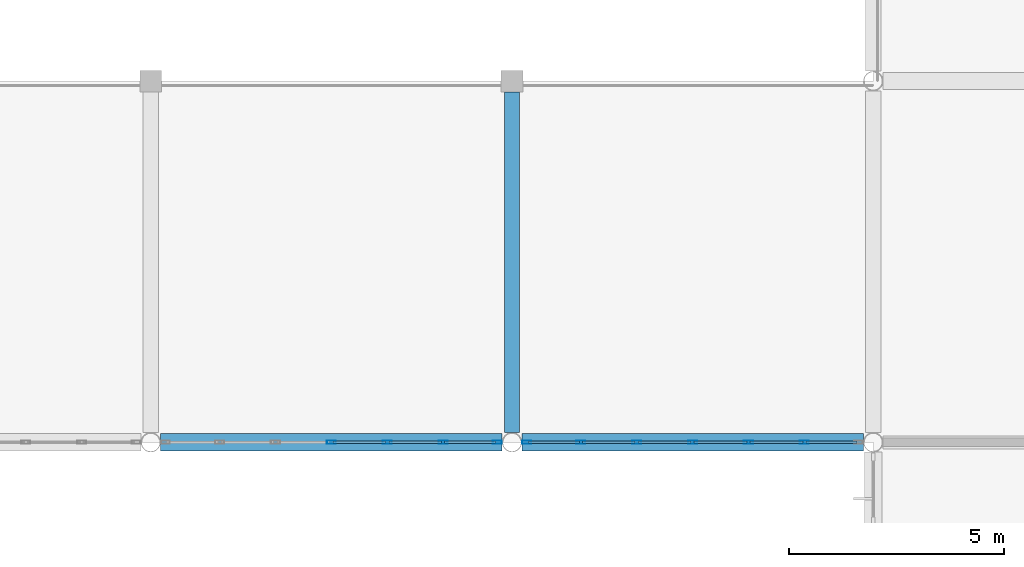
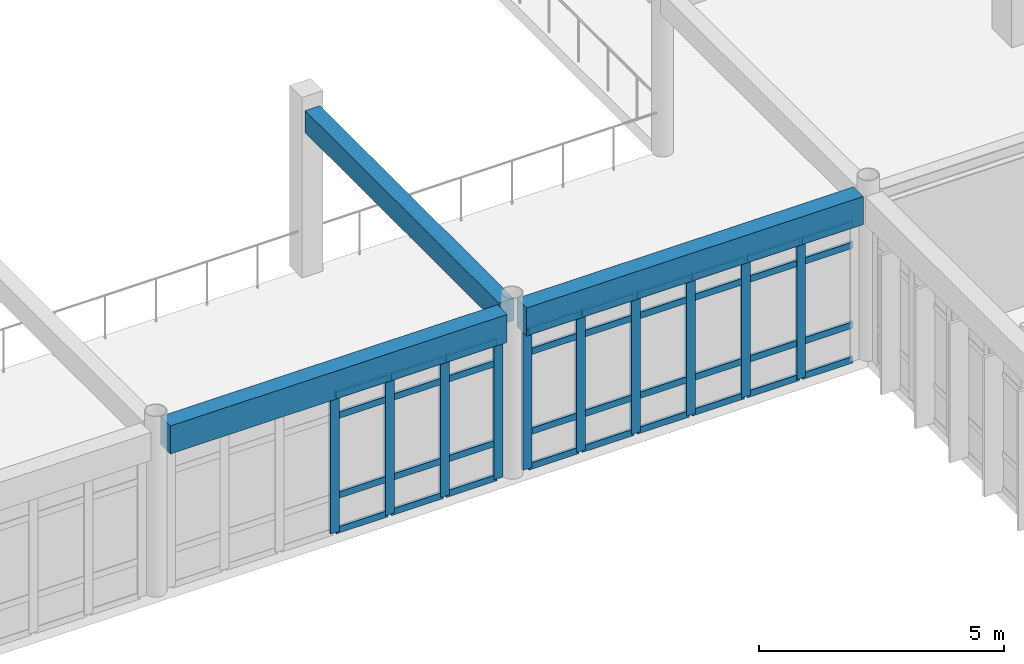
# One storey, part 23 of 144: 46 members, 3 beams, 2 elements without a shape of their own.
"""IFC4 building model written with IfcOpenShell, lengths in metres."""

from ifc_helpers import new_model, si_unit, direction, frame, origin, origin_2d, place, context, subcontext, project, spatial, rectangle, hollow_rectangle, extrude, material, layer, layer_set, material_profile, profile_set, type_object, element, aggregate, save


model = new_model("IFC4")

# Units and contexts
model_context = context("Model", 3, precision=1e-05, world=origin(), true_north=direction((0.0, 1.0)))
body_context = subcontext(model_context, "Body", "Model", "MODEL_VIEW")
ifc_project = project(units=[si_unit("LENGTHUNIT", "METRE"), si_unit("AREAUNIT", "SQUARE_METRE"), si_unit("VOLUMEUNIT", "CUBIC_METRE"), si_unit("PLANEANGLEUNIT", "RADIAN"), si_unit("MASSUNIT", "GRAM", prefix="KILO")], contexts=[model_context])

# Site, building, storey
site_placement = place(None, origin())
site = spatial("IfcSite", under=ifc_project, at=site_placement, CompositionType="ELEMENT")
building_placement = place(site_placement, origin())
building = spatial("IfcBuilding", under=site, at=building_placement, Name="Bramfleet General Hospital", CompositionType="ELEMENT")
storey_placement = place(building_placement, frame((0.0, 0.0, 4.800048828125)))
storey = spatial("IfcBuildingStorey", under=building, at=storey_placement, Name="L01", CompositionType="ELEMENT", Elevation=4.800048828125)

# Beams
ifc_material_1 = material(Name="Concrete C35/45", Category="concrete")
ifc_material_profile_1 = material_profile(ifc_material_1, rectangle(XDim=0.35009765625, YDim=0.550048828125, at=origin_2d()), Name="RC BM 550x350")
ifc_profile_set_1 = profile_set([ifc_material_profile_1], Name="Concrete C35/45")
beam_type_1 = type_object("IfcBeamType", Name="BM-RC550", PredefinedType="BEAM", material=ifc_profile_set_1)
beam_placement = place(storey_placement, frame((84.0, 17.028564453125, 3.875), z_axis=(0.0, 1.0, 0.0), x_axis=(-1.0, 0.0, 0.0)))
element("IfcBeam", 1, at=beam_placement, inside=storey, type_object=beam_type_1, Name="L01 Grid Beam Y 10-02", PredefinedType="BEAM", context=body_context, shape_type="SweptSolid", body=[
    extrude(rectangle(XDim=0.35009765625, YDim=0.550048828125, at=origin_2d()), origin(), (0.0, 0.0, 1.0), 7.92138671875),
])
ifc_material_profile_2 = material_profile(ifc_material_1, rectangle(XDim=0.39990234375, YDim=0.699951171875, at=origin_2d()), Name="RC SP 700x400")
ifc_profile_set_2 = profile_set([ifc_material_profile_2], Name="Concrete C35/45")
beam_type_2 = type_object("IfcBeamType", Name="BM-SP700", PredefinedType="SPANDREL", material=ifc_profile_set_2)
for number, where, z_axis, x_axis, name in (
    (2, (75.82861328125, 16.800048828125, 3.800048828125), (1.0, 0.0, 0.0), (0.0, 1.0, 0.0), "L01 Grid Beam X 09-02"),
    (3, (84.228515625, 16.800048828125, 3.800048828125), (1.0, 0.0, 0.0), (0.0, 1.0, 0.0), "L01 Grid Beam X 10-02"),
):
    element("IfcBeam", number, at=place(storey_placement, frame(where, z_axis=z_axis, x_axis=x_axis)), inside=storey, type_object=beam_type_2, Name=name, PredefinedType="SPANDREL", context=body_context, shape_type="SweptSolid", body=[
        extrude(rectangle(XDim=0.39990234375, YDim=0.699951171875, at=origin_2d()), origin(), (0.0, 0.0, 1.0), 7.94287109375),
    ])

# Curtain wall, members
ifc_material_2 = material(Name="Anodised aluminium and low-E triple glazing", Category="aluminium")
ifc_layer_1 = layer(ifc_material_2, 0.179931640625, Name="CWT-CW-07")
ifc_layer_set_1 = layer_set([ifc_layer_1], Name="Anodised aluminium and low-E triple glazing")
curtain_wall_type_1 = type_object("IfcCurtainWallType", Name="CWT-CW-07", PredefinedType="USERDEFINED", material=ifc_layer_set_1)
curtain_wall_1_placement = place(storey_placement, origin())
curtain_wall_1 = element("IfcCurtainWall", 4, at=curtain_wall_1_placement, inside=storey, type_object=curtain_wall_type_1, Name="L01 Curtain Wall 79", ObjectType="Unitised curtain wall", PredefinedType="USERDEFINED")
ifc_material_3 = material(Name="Anodised aluminium EN AW-6060", Category="aluminium")
ifc_material_profile_3 = material_profile(ifc_material_3, hollow_rectangle(XDim=0.074951171875, YDim=0.2099609375, WallThickness=0.00439453125, at=origin_2d()), Name="ALU 210x75x4.5")
ifc_profile_set_3 = profile_set([ifc_material_profile_3], Name="Anodised aluminium EN AW-6060")
member_type_1 = type_object("IfcMemberType", Name="CWM-ALU210", PredefinedType="MULLION", material=ifc_profile_set_3)
member_1_placement = place(storey_placement, frame((90.798095703125, 16.800048828125, 0.0), z_axis=(0.0, 0.0, 1.0), x_axis=(0.0, -1.0, 0.0)))
member_1 = element("IfcMember", 5, at=member_1_placement, type_object=member_type_1, Name="CW-07 mullion 2", PredefinedType="MULLION", context=body_context, shape_type="SweptSolid", body=[
    extrude(hollow_rectangle(XDim=0.074951171875, YDim=0.2099609375, WallThickness=0.00439453125, at=origin_2d()), origin(), (0.0, 0.0, 1.0), 3.43994140625),
])
member_2_placement = place(storey_placement, frame((89.4990234375, 16.800048828125, 0.0), z_axis=(0.0, 0.0, 1.0), x_axis=(0.0, -1.0, 0.0)))
member_2 = element("IfcMember", 6, at=member_2_placement, type_object=member_type_1, Name="CW-07 mullion 3", PredefinedType="MULLION", context=body_context, shape_type="SweptSolid", body=[
    extrude(hollow_rectangle(XDim=0.074951171875, YDim=0.2099609375, WallThickness=0.00439453125, at=origin_2d()), origin(), (0.0, 0.0, 1.0), 3.43994140625),
])
member_3_placement = place(storey_placement, frame((88.199951171875, 16.800048828125, 0.0), z_axis=(0.0, 0.0, 1.0), x_axis=(0.0, -1.0, 0.0)))
member_3 = element("IfcMember", 7, at=member_3_placement, type_object=member_type_1, Name="CW-07 mullion 4", PredefinedType="MULLION", context=body_context, shape_type="SweptSolid", body=[
    extrude(hollow_rectangle(XDim=0.074951171875, YDim=0.2099609375, WallThickness=0.00439453125, at=origin_2d()), origin(), (0.0, 0.0, 1.0), 3.43994140625),
])
member_4_placement = place(storey_placement, frame((86.90087890625, 16.800048828125, 0.0), z_axis=(0.0, 0.0, 1.0), x_axis=(0.0, -1.0, 0.0)))
member_4 = element("IfcMember", 8, at=member_4_placement, type_object=member_type_1, Name="CW-07 mullion 5", PredefinedType="MULLION", context=body_context, shape_type="SweptSolid", body=[
    extrude(hollow_rectangle(XDim=0.074951171875, YDim=0.2099609375, WallThickness=0.00439453125, at=origin_2d()), origin(), (0.0, 0.0, 1.0), 3.43994140625),
])
member_5_placement = place(storey_placement, frame((85.60205078125, 16.800048828125, 0.0), z_axis=(0.0, 0.0, 1.0), x_axis=(0.0, -1.0, 0.0)))
member_5 = element("IfcMember", 9, at=member_5_placement, type_object=member_type_1, Name="CW-07 mullion 6", PredefinedType="MULLION", context=body_context, shape_type="SweptSolid", body=[
    extrude(hollow_rectangle(XDim=0.074951171875, YDim=0.2099609375, WallThickness=0.00439453125, at=origin_2d()), origin(), (0.0, 0.0, 1.0), 3.43994140625),
])
member_6_placement = place(storey_placement, frame((84.340576171875, 16.800048828125, 0.0), z_axis=(0.0, 0.0, 1.0), x_axis=(0.0, -1.0, 0.0)))
member_6 = element("IfcMember", 10, at=member_6_placement, type_object=member_type_1, Name="CW-07 mullion 7", PredefinedType="MULLION", context=body_context, shape_type="SweptSolid", body=[
    extrude(hollow_rectangle(XDim=0.074951171875, YDim=0.2099609375, WallThickness=0.00439453125, at=origin_2d()), origin(), (0.0, 0.0, 1.0), 3.43994140625),
])

ifc_layer_2 = layer(ifc_material_2, 0.179931640625, Name="CWT-CW-08")
ifc_layer_set_2 = layer_set([ifc_layer_2], Name="Anodised aluminium and low-E triple glazing")
curtain_wall_type_2 = type_object("IfcCurtainWallType", Name="CWT-CW-08", PredefinedType="USERDEFINED", material=ifc_layer_set_2)
curtain_wall_2_placement = place(storey_placement, origin())
curtain_wall_2 = element("IfcCurtainWall", 11, at=curtain_wall_2_placement, inside=storey, type_object=curtain_wall_type_2, Name="L01 Curtain Wall 80", ObjectType="Unitised curtain wall", PredefinedType="USERDEFINED")
member_7_placement = place(storey_placement, frame((83.659423828125, 16.800048828125, 0.0), z_axis=(0.0, 0.0, 1.0), x_axis=(0.0, -1.0, 0.0)))
member_7 = element("IfcMember", 12, at=member_7_placement, type_object=member_type_1, Name="CW-08 mullion 1", PredefinedType="MULLION", context=body_context, shape_type="SweptSolid", body=[
    extrude(hollow_rectangle(XDim=0.074951171875, YDim=0.2099609375, WallThickness=0.00439453125, at=origin_2d()), origin(), (0.0, 0.0, 1.0), 3.43994140625),
])
member_8_placement = place(storey_placement, frame((82.39794921875, 16.800048828125, 0.0), z_axis=(0.0, 0.0, 1.0), x_axis=(0.0, -1.0, 0.0)))
member_8 = element("IfcMember", 13, at=member_8_placement, type_object=member_type_1, Name="CW-08 mullion 2", PredefinedType="MULLION", context=body_context, shape_type="SweptSolid", body=[
    extrude(hollow_rectangle(XDim=0.074951171875, YDim=0.2099609375, WallThickness=0.00439453125, at=origin_2d()), origin(), (0.0, 0.0, 1.0), 3.43994140625),
])
member_9_placement = place(storey_placement, frame((81.09912109375, 16.800048828125, 0.0), z_axis=(0.0, 0.0, 1.0), x_axis=(0.0, -1.0, 0.0)))
member_9 = element("IfcMember", 14, at=member_9_placement, type_object=member_type_1, Name="CW-08 mullion 3", PredefinedType="MULLION", context=body_context, shape_type="SweptSolid", body=[
    extrude(hollow_rectangle(XDim=0.074951171875, YDim=0.2099609375, WallThickness=0.00439453125, at=origin_2d()), origin(), (0.0, 0.0, 1.0), 3.43994140625),
])
member_10_placement = place(storey_placement, frame((79.800048828125, 16.800048828125, 0.0), z_axis=(0.0, 0.0, 1.0), x_axis=(0.0, -1.0, 0.0)))
member_10 = element("IfcMember", 15, at=member_10_placement, type_object=member_type_1, Name="CW-08 mullion 4", PredefinedType="MULLION", context=body_context, shape_type="SweptSolid", body=[
    extrude(hollow_rectangle(XDim=0.074951171875, YDim=0.2099609375, WallThickness=0.00439453125, at=origin_2d()), origin(), (0.0, 0.0, 1.0), 3.43994140625),
])

# Member
ifc_material_profile_4 = material_profile(ifc_material_3, hollow_rectangle(XDim=0.06494140625, YDim=0.159912109375, WallThickness=0.00390625, at=origin_2d()), Name="ALU 160x65x4.0")
ifc_profile_set_4 = profile_set([ifc_material_profile_4], Name="Anodised aluminium EN AW-6060")
member_type_2 = type_object("IfcMemberType", Name="CWT-ALU160", PredefinedType="USERDEFINED", material=ifc_profile_set_4)
member_11_placement = place(storey_placement, frame((92.02197265625, 16.800048828125, 0.032470703125), z_axis=(-1.0, 0.0, 0.0), x_axis=(0.0, -1.0, 0.0)))
member_11 = element("IfcMember", 16, at=member_11_placement, type_object=member_type_2, Name="CW-07 transom 1.1", ObjectType="TRANSOM", PredefinedType="USERDEFINED", context=body_context, shape_type="SweptSolid", body=[
    extrude(hollow_rectangle(XDim=0.06494140625, YDim=0.159912109375, WallThickness=0.00390625, at=origin_2d()), origin(), (0.0, 0.0, 1.0), 1.1865234375),
])

member_12_placement = place(storey_placement, frame((92.02197265625, 16.800048828125, 0.89990234375), z_axis=(-1.0, 0.0, 0.0), x_axis=(0.0, -1.0, 0.0)))
member_12 = element("IfcMember", 17, at=member_12_placement, type_object=member_type_2, Name="CW-07 transom 1.2", ObjectType="TRANSOM", PredefinedType="USERDEFINED", context=body_context, shape_type="SweptSolid", body=[
    extrude(hollow_rectangle(XDim=0.06494140625, YDim=0.159912109375, WallThickness=0.00390625, at=origin_2d()), origin(), (0.0, 0.0, 1.0), 1.1865234375),
])

member_13_placement = place(storey_placement, frame((92.02197265625, 16.800048828125, 2.889892578125), z_axis=(-1.0, 0.0, 0.0), x_axis=(0.0, -1.0, 0.0)))
member_13 = element("IfcMember", 18, at=member_13_placement, type_object=member_type_2, Name="CW-07 transom 1.3", ObjectType="TRANSOM", PredefinedType="USERDEFINED", context=body_context, shape_type="SweptSolid", body=[
    extrude(hollow_rectangle(XDim=0.06494140625, YDim=0.159912109375, WallThickness=0.00390625, at=origin_2d()), origin(), (0.0, 0.0, 1.0), 1.1865234375),
])

member_14_placement = place(storey_placement, frame((92.02197265625, 16.800048828125, 3.407470703125), z_axis=(-1.0, 0.0, 0.0), x_axis=(0.0, -1.0, 0.0)))
member_14 = element("IfcMember", 19, at=member_14_placement, type_object=member_type_2, Name="CW-07 transom 1.4", ObjectType="TRANSOM", PredefinedType="USERDEFINED", context=body_context, shape_type="SweptSolid", body=[
    extrude(hollow_rectangle(XDim=0.06494140625, YDim=0.159912109375, WallThickness=0.00390625, at=origin_2d()), origin(), (0.0, 0.0, 1.0), 1.1865234375),
])

member_15_placement = place(storey_placement, frame((90.760498046875, 16.800048828125, 0.032470703125), z_axis=(-1.0, 0.0, 0.0), x_axis=(0.0, -1.0, 0.0)))
member_15 = element("IfcMember", 20, at=member_15_placement, type_object=member_type_2, Name="CW-07 transom 2.1", ObjectType="TRANSOM", PredefinedType="USERDEFINED", context=body_context, shape_type="SweptSolid", body=[
    extrude(hollow_rectangle(XDim=0.06494140625, YDim=0.159912109375, WallThickness=0.00390625, at=origin_2d()), origin(), (0.0, 0.0, 1.0), 1.223876953125),
])

member_16_placement = place(storey_placement, frame((90.760498046875, 16.800048828125, 0.89990234375), z_axis=(-1.0, 0.0, 0.0), x_axis=(0.0, -1.0, 0.0)))
member_16 = element("IfcMember", 21, at=member_16_placement, type_object=member_type_2, Name="CW-07 transom 2.2", ObjectType="TRANSOM", PredefinedType="USERDEFINED", context=body_context, shape_type="SweptSolid", body=[
    extrude(hollow_rectangle(XDim=0.06494140625, YDim=0.159912109375, WallThickness=0.00390625, at=origin_2d()), origin(), (0.0, 0.0, 1.0), 1.223876953125),
])

member_17_placement = place(storey_placement, frame((90.760498046875, 16.800048828125, 2.889892578125), z_axis=(-1.0, 0.0, 0.0), x_axis=(0.0, -1.0, 0.0)))
member_17 = element("IfcMember", 22, at=member_17_placement, type_object=member_type_2, Name="CW-07 transom 2.3", ObjectType="TRANSOM", PredefinedType="USERDEFINED", context=body_context, shape_type="SweptSolid", body=[
    extrude(hollow_rectangle(XDim=0.06494140625, YDim=0.159912109375, WallThickness=0.00390625, at=origin_2d()), origin(), (0.0, 0.0, 1.0), 1.223876953125),
])

member_18_placement = place(storey_placement, frame((90.760498046875, 16.800048828125, 3.407470703125), z_axis=(-1.0, 0.0, 0.0), x_axis=(0.0, -1.0, 0.0)))
member_18 = element("IfcMember", 23, at=member_18_placement, type_object=member_type_2, Name="CW-07 transom 2.4", ObjectType="TRANSOM", PredefinedType="USERDEFINED", context=body_context, shape_type="SweptSolid", body=[
    extrude(hollow_rectangle(XDim=0.06494140625, YDim=0.159912109375, WallThickness=0.00390625, at=origin_2d()), origin(), (0.0, 0.0, 1.0), 1.223876953125),
])

member_19_placement = place(storey_placement, frame((89.46142578125, 16.800048828125, 0.032470703125), z_axis=(-1.0, 0.0, 0.0), x_axis=(0.0, -1.0, 0.0)))
member_19 = element("IfcMember", 24, at=member_19_placement, type_object=member_type_2, Name="CW-07 transom 3.1", ObjectType="TRANSOM", PredefinedType="USERDEFINED", context=body_context, shape_type="SweptSolid", body=[
    extrude(hollow_rectangle(XDim=0.06494140625, YDim=0.159912109375, WallThickness=0.00390625, at=origin_2d()), origin(), (0.0, 0.0, 1.0), 1.223876953125),
])

member_20_placement = place(storey_placement, frame((89.46142578125, 16.800048828125, 0.89990234375), z_axis=(-1.0, 0.0, 0.0), x_axis=(0.0, -1.0, 0.0)))
member_20 = element("IfcMember", 25, at=member_20_placement, type_object=member_type_2, Name="CW-07 transom 3.2", ObjectType="TRANSOM", PredefinedType="USERDEFINED", context=body_context, shape_type="SweptSolid", body=[
    extrude(hollow_rectangle(XDim=0.06494140625, YDim=0.159912109375, WallThickness=0.00390625, at=origin_2d()), origin(), (0.0, 0.0, 1.0), 1.223876953125),
])

member_21_placement = place(storey_placement, frame((89.46142578125, 16.800048828125, 2.889892578125), z_axis=(-1.0, 0.0, 0.0), x_axis=(0.0, -1.0, 0.0)))
member_21 = element("IfcMember", 26, at=member_21_placement, type_object=member_type_2, Name="CW-07 transom 3.3", ObjectType="TRANSOM", PredefinedType="USERDEFINED", context=body_context, shape_type="SweptSolid", body=[
    extrude(hollow_rectangle(XDim=0.06494140625, YDim=0.159912109375, WallThickness=0.00390625, at=origin_2d()), origin(), (0.0, 0.0, 1.0), 1.223876953125),
])

member_22_placement = place(storey_placement, frame((89.46142578125, 16.800048828125, 3.407470703125), z_axis=(-1.0, 0.0, 0.0), x_axis=(0.0, -1.0, 0.0)))
member_22 = element("IfcMember", 27, at=member_22_placement, type_object=member_type_2, Name="CW-07 transom 3.4", ObjectType="TRANSOM", PredefinedType="USERDEFINED", context=body_context, shape_type="SweptSolid", body=[
    extrude(hollow_rectangle(XDim=0.06494140625, YDim=0.159912109375, WallThickness=0.00390625, at=origin_2d()), origin(), (0.0, 0.0, 1.0), 1.223876953125),
])

member_23_placement = place(storey_placement, frame((88.16259765625, 16.800048828125, 0.032470703125), z_axis=(-1.0, 0.0, 0.0), x_axis=(0.0, -1.0, 0.0)))
member_23 = element("IfcMember", 28, at=member_23_placement, type_object=member_type_2, Name="CW-07 transom 4.1", ObjectType="TRANSOM", PredefinedType="USERDEFINED", context=body_context, shape_type="SweptSolid", body=[
    extrude(hollow_rectangle(XDim=0.06494140625, YDim=0.159912109375, WallThickness=0.00390625, at=origin_2d()), origin(), (0.0, 0.0, 1.0), 1.22412109375),
])

member_24_placement = place(storey_placement, frame((88.16259765625, 16.800048828125, 0.89990234375), z_axis=(-1.0, 0.0, 0.0), x_axis=(0.0, -1.0, 0.0)))
member_24 = element("IfcMember", 29, at=member_24_placement, type_object=member_type_2, Name="CW-07 transom 4.2", ObjectType="TRANSOM", PredefinedType="USERDEFINED", context=body_context, shape_type="SweptSolid", body=[
    extrude(hollow_rectangle(XDim=0.06494140625, YDim=0.159912109375, WallThickness=0.00390625, at=origin_2d()), origin(), (0.0, 0.0, 1.0), 1.22412109375),
])

member_25_placement = place(storey_placement, frame((88.16259765625, 16.800048828125, 2.889892578125), z_axis=(-1.0, 0.0, 0.0), x_axis=(0.0, -1.0, 0.0)))
member_25 = element("IfcMember", 30, at=member_25_placement, type_object=member_type_2, Name="CW-07 transom 4.3", ObjectType="TRANSOM", PredefinedType="USERDEFINED", context=body_context, shape_type="SweptSolid", body=[
    extrude(hollow_rectangle(XDim=0.06494140625, YDim=0.159912109375, WallThickness=0.00390625, at=origin_2d()), origin(), (0.0, 0.0, 1.0), 1.22412109375),
])

member_26_placement = place(storey_placement, frame((88.16259765625, 16.800048828125, 3.407470703125), z_axis=(-1.0, 0.0, 0.0), x_axis=(0.0, -1.0, 0.0)))
member_26 = element("IfcMember", 31, at=member_26_placement, type_object=member_type_2, Name="CW-07 transom 4.4", ObjectType="TRANSOM", PredefinedType="USERDEFINED", context=body_context, shape_type="SweptSolid", body=[
    extrude(hollow_rectangle(XDim=0.06494140625, YDim=0.159912109375, WallThickness=0.00390625, at=origin_2d()), origin(), (0.0, 0.0, 1.0), 1.22412109375),
])

member_27_placement = place(storey_placement, frame((86.863525390625, 16.800048828125, 0.032470703125), z_axis=(-1.0, 0.0, 0.0), x_axis=(0.0, -1.0, 0.0)))
member_27 = element("IfcMember", 32, at=member_27_placement, type_object=member_type_2, Name="CW-07 transom 5.1", ObjectType="TRANSOM", PredefinedType="USERDEFINED", context=body_context, shape_type="SweptSolid", body=[
    extrude(hollow_rectangle(XDim=0.06494140625, YDim=0.159912109375, WallThickness=0.00390625, at=origin_2d()), origin(), (0.0, 0.0, 1.0), 1.22412109375),
])

member_28_placement = place(storey_placement, frame((86.863525390625, 16.800048828125, 0.89990234375), z_axis=(-1.0, 0.0, 0.0), x_axis=(0.0, -1.0, 0.0)))
member_28 = element("IfcMember", 33, at=member_28_placement, type_object=member_type_2, Name="CW-07 transom 5.2", ObjectType="TRANSOM", PredefinedType="USERDEFINED", context=body_context, shape_type="SweptSolid", body=[
    extrude(hollow_rectangle(XDim=0.06494140625, YDim=0.159912109375, WallThickness=0.00390625, at=origin_2d()), origin(), (0.0, 0.0, 1.0), 1.22412109375),
])

member_29_placement = place(storey_placement, frame((86.863525390625, 16.800048828125, 2.889892578125), z_axis=(-1.0, 0.0, 0.0), x_axis=(0.0, -1.0, 0.0)))
member_29 = element("IfcMember", 34, at=member_29_placement, type_object=member_type_2, Name="CW-07 transom 5.3", ObjectType="TRANSOM", PredefinedType="USERDEFINED", context=body_context, shape_type="SweptSolid", body=[
    extrude(hollow_rectangle(XDim=0.06494140625, YDim=0.159912109375, WallThickness=0.00390625, at=origin_2d()), origin(), (0.0, 0.0, 1.0), 1.22412109375),
])

member_30_placement = place(storey_placement, frame((86.863525390625, 16.800048828125, 3.407470703125), z_axis=(-1.0, 0.0, 0.0), x_axis=(0.0, -1.0, 0.0)))
member_30 = element("IfcMember", 35, at=member_30_placement, type_object=member_type_2, Name="CW-07 transom 5.4", ObjectType="TRANSOM", PredefinedType="USERDEFINED", context=body_context, shape_type="SweptSolid", body=[
    extrude(hollow_rectangle(XDim=0.06494140625, YDim=0.159912109375, WallThickness=0.00390625, at=origin_2d()), origin(), (0.0, 0.0, 1.0), 1.22412109375),
])

member_31_placement = place(storey_placement, frame((85.564453125, 16.800048828125, 0.032470703125), z_axis=(-1.0, 0.0, 0.0), x_axis=(0.0, -1.0, 0.0)))
member_31 = element("IfcMember", 36, at=member_31_placement, type_object=member_type_2, Name="CW-07 transom 6.1", ObjectType="TRANSOM", PredefinedType="USERDEFINED", context=body_context, shape_type="SweptSolid", body=[
    extrude(hollow_rectangle(XDim=0.06494140625, YDim=0.159912109375, WallThickness=0.00390625, at=origin_2d()), origin(), (0.0, 0.0, 1.0), 1.1865234375),
])

member_32_placement = place(storey_placement, frame((85.564453125, 16.800048828125, 0.89990234375), z_axis=(-1.0, 0.0, 0.0), x_axis=(0.0, -1.0, 0.0)))
member_32 = element("IfcMember", 37, at=member_32_placement, type_object=member_type_2, Name="CW-07 transom 6.2", ObjectType="TRANSOM", PredefinedType="USERDEFINED", context=body_context, shape_type="SweptSolid", body=[
    extrude(hollow_rectangle(XDim=0.06494140625, YDim=0.159912109375, WallThickness=0.00390625, at=origin_2d()), origin(), (0.0, 0.0, 1.0), 1.1865234375),
])

member_33_placement = place(storey_placement, frame((85.564453125, 16.800048828125, 2.889892578125), z_axis=(-1.0, 0.0, 0.0), x_axis=(0.0, -1.0, 0.0)))
member_33 = element("IfcMember", 38, at=member_33_placement, type_object=member_type_2, Name="CW-07 transom 6.3", ObjectType="TRANSOM", PredefinedType="USERDEFINED", context=body_context, shape_type="SweptSolid", body=[
    extrude(hollow_rectangle(XDim=0.06494140625, YDim=0.159912109375, WallThickness=0.00390625, at=origin_2d()), origin(), (0.0, 0.0, 1.0), 1.1865234375),
])

member_34_placement = place(storey_placement, frame((85.564453125, 16.800048828125, 3.407470703125), z_axis=(-1.0, 0.0, 0.0), x_axis=(0.0, -1.0, 0.0)))
member_34 = element("IfcMember", 39, at=member_34_placement, type_object=member_type_2, Name="CW-07 transom 6.4", ObjectType="TRANSOM", PredefinedType="USERDEFINED", context=body_context, shape_type="SweptSolid", body=[
    extrude(hollow_rectangle(XDim=0.06494140625, YDim=0.159912109375, WallThickness=0.00390625, at=origin_2d()), origin(), (0.0, 0.0, 1.0), 1.1865234375),
])

aggregate(curtain_wall_1, [member_1, member_2, member_3, member_4, member_5, member_6, member_11, member_12, member_13, member_14, member_15, member_16, member_17, member_18, member_19, member_20, member_21, member_22, member_23, member_24, member_25, member_26, member_27, member_28, member_29, member_30, member_31, member_32, member_33, member_34])

member_35_placement = place(storey_placement, frame((83.6220703125, 16.800048828125, 0.032470703125), z_axis=(-1.0, 0.0, 0.0), x_axis=(0.0, -1.0, 0.0)))
member_35 = element("IfcMember", 40, at=member_35_placement, type_object=member_type_2, Name="CW-08 transom 1.1", ObjectType="TRANSOM", PredefinedType="USERDEFINED", context=body_context, shape_type="SweptSolid", body=[
    extrude(hollow_rectangle(XDim=0.06494140625, YDim=0.159912109375, WallThickness=0.00390625, at=origin_2d()), origin(), (0.0, 0.0, 1.0), 1.1865234375),
])

member_36_placement = place(storey_placement, frame((83.6220703125, 16.800048828125, 0.89990234375), z_axis=(-1.0, 0.0, 0.0), x_axis=(0.0, -1.0, 0.0)))
member_36 = element("IfcMember", 41, at=member_36_placement, type_object=member_type_2, Name="CW-08 transom 1.2", ObjectType="TRANSOM", PredefinedType="USERDEFINED", context=body_context, shape_type="SweptSolid", body=[
    extrude(hollow_rectangle(XDim=0.06494140625, YDim=0.159912109375, WallThickness=0.00390625, at=origin_2d()), origin(), (0.0, 0.0, 1.0), 1.1865234375),
])

member_37_placement = place(storey_placement, frame((83.6220703125, 16.800048828125, 2.889892578125), z_axis=(-1.0, 0.0, 0.0), x_axis=(0.0, -1.0, 0.0)))
member_37 = element("IfcMember", 42, at=member_37_placement, type_object=member_type_2, Name="CW-08 transom 1.3", ObjectType="TRANSOM", PredefinedType="USERDEFINED", context=body_context, shape_type="SweptSolid", body=[
    extrude(hollow_rectangle(XDim=0.06494140625, YDim=0.159912109375, WallThickness=0.00390625, at=origin_2d()), origin(), (0.0, 0.0, 1.0), 1.1865234375),
])

member_38_placement = place(storey_placement, frame((83.6220703125, 16.800048828125, 3.407470703125), z_axis=(-1.0, 0.0, 0.0), x_axis=(0.0, -1.0, 0.0)))
member_38 = element("IfcMember", 43, at=member_38_placement, type_object=member_type_2, Name="CW-08 transom 1.4", ObjectType="TRANSOM", PredefinedType="USERDEFINED", context=body_context, shape_type="SweptSolid", body=[
    extrude(hollow_rectangle(XDim=0.06494140625, YDim=0.159912109375, WallThickness=0.00390625, at=origin_2d()), origin(), (0.0, 0.0, 1.0), 1.1865234375),
])

member_39_placement = place(storey_placement, frame((82.360595703125, 16.800048828125, 0.032470703125), z_axis=(-1.0, 0.0, 0.0), x_axis=(0.0, -1.0, 0.0)))
member_39 = element("IfcMember", 44, at=member_39_placement, type_object=member_type_2, Name="CW-08 transom 2.1", ObjectType="TRANSOM", PredefinedType="USERDEFINED", context=body_context, shape_type="SweptSolid", body=[
    extrude(hollow_rectangle(XDim=0.06494140625, YDim=0.159912109375, WallThickness=0.00390625, at=origin_2d()), origin(), (0.0, 0.0, 1.0), 1.22412109375),
])

member_40_placement = place(storey_placement, frame((82.360595703125, 16.800048828125, 0.89990234375), z_axis=(-1.0, 0.0, 0.0), x_axis=(0.0, -1.0, 0.0)))
member_40 = element("IfcMember", 45, at=member_40_placement, type_object=member_type_2, Name="CW-08 transom 2.2", ObjectType="TRANSOM", PredefinedType="USERDEFINED", context=body_context, shape_type="SweptSolid", body=[
    extrude(hollow_rectangle(XDim=0.06494140625, YDim=0.159912109375, WallThickness=0.00390625, at=origin_2d()), origin(), (0.0, 0.0, 1.0), 1.22412109375),
])

member_41_placement = place(storey_placement, frame((82.360595703125, 16.800048828125, 2.889892578125), z_axis=(-1.0, 0.0, 0.0), x_axis=(0.0, -1.0, 0.0)))
member_41 = element("IfcMember", 46, at=member_41_placement, type_object=member_type_2, Name="CW-08 transom 2.3", ObjectType="TRANSOM", PredefinedType="USERDEFINED", context=body_context, shape_type="SweptSolid", body=[
    extrude(hollow_rectangle(XDim=0.06494140625, YDim=0.159912109375, WallThickness=0.00390625, at=origin_2d()), origin(), (0.0, 0.0, 1.0), 1.22412109375),
])

member_42_placement = place(storey_placement, frame((82.360595703125, 16.800048828125, 3.407470703125), z_axis=(-1.0, 0.0, 0.0), x_axis=(0.0, -1.0, 0.0)))
member_42 = element("IfcMember", 47, at=member_42_placement, type_object=member_type_2, Name="CW-08 transom 2.4", ObjectType="TRANSOM", PredefinedType="USERDEFINED", context=body_context, shape_type="SweptSolid", body=[
    extrude(hollow_rectangle(XDim=0.06494140625, YDim=0.159912109375, WallThickness=0.00390625, at=origin_2d()), origin(), (0.0, 0.0, 1.0), 1.22412109375),
])

member_43_placement = place(storey_placement, frame((81.0615234375, 16.800048828125, 0.032470703125), z_axis=(-1.0, 0.0, 0.0), x_axis=(0.0, -1.0, 0.0)))
member_43 = element("IfcMember", 48, at=member_43_placement, type_object=member_type_2, Name="CW-08 transom 3.1", ObjectType="TRANSOM", PredefinedType="USERDEFINED", context=body_context, shape_type="SweptSolid", body=[
    extrude(hollow_rectangle(XDim=0.06494140625, YDim=0.159912109375, WallThickness=0.00390625, at=origin_2d()), origin(), (0.0, 0.0, 1.0), 1.22412109375),
])

member_44_placement = place(storey_placement, frame((81.0615234375, 16.800048828125, 0.89990234375), z_axis=(-1.0, 0.0, 0.0), x_axis=(0.0, -1.0, 0.0)))
member_44 = element("IfcMember", 49, at=member_44_placement, type_object=member_type_2, Name="CW-08 transom 3.2", ObjectType="TRANSOM", PredefinedType="USERDEFINED", context=body_context, shape_type="SweptSolid", body=[
    extrude(hollow_rectangle(XDim=0.06494140625, YDim=0.159912109375, WallThickness=0.00390625, at=origin_2d()), origin(), (0.0, 0.0, 1.0), 1.22412109375),
])

member_45_placement = place(storey_placement, frame((81.0615234375, 16.800048828125, 2.889892578125), z_axis=(-1.0, 0.0, 0.0), x_axis=(0.0, -1.0, 0.0)))
member_45 = element("IfcMember", 50, at=member_45_placement, type_object=member_type_2, Name="CW-08 transom 3.3", ObjectType="TRANSOM", PredefinedType="USERDEFINED", context=body_context, shape_type="SweptSolid", body=[
    extrude(hollow_rectangle(XDim=0.06494140625, YDim=0.159912109375, WallThickness=0.00390625, at=origin_2d()), origin(), (0.0, 0.0, 1.0), 1.22412109375),
])

member_46_placement = place(storey_placement, frame((81.0615234375, 16.800048828125, 3.407470703125), z_axis=(-1.0, 0.0, 0.0), x_axis=(0.0, -1.0, 0.0)))
member_46 = element("IfcMember", 51, at=member_46_placement, type_object=member_type_2, Name="CW-08 transom 3.4", ObjectType="TRANSOM", PredefinedType="USERDEFINED", context=body_context, shape_type="SweptSolid", body=[
    extrude(hollow_rectangle(XDim=0.06494140625, YDim=0.159912109375, WallThickness=0.00390625, at=origin_2d()), origin(), (0.0, 0.0, 1.0), 1.22412109375),
])

aggregate(curtain_wall_2, [member_7, member_8, member_9, member_10, member_35, member_36, member_37, member_38, member_39, member_40, member_41, member_42, member_43, member_44, member_45, member_46])

save(model, "model.ifc")
